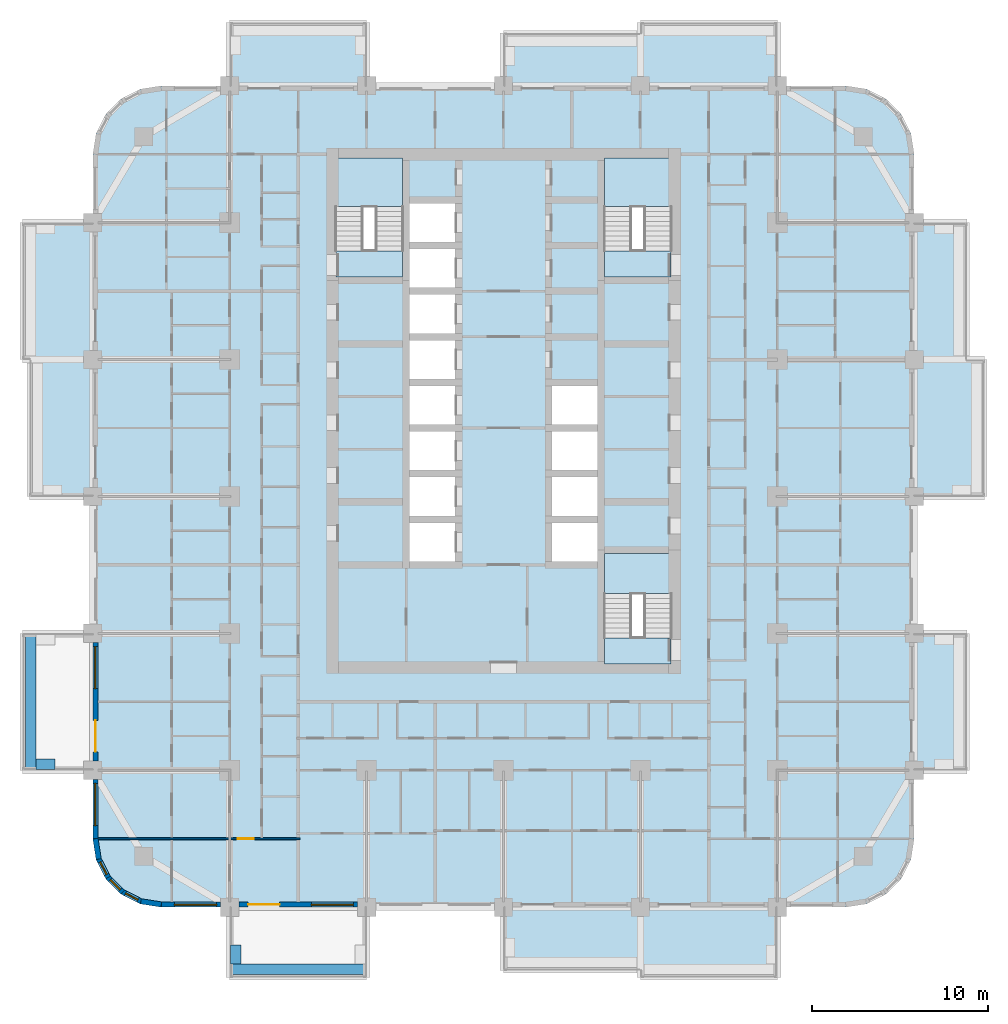
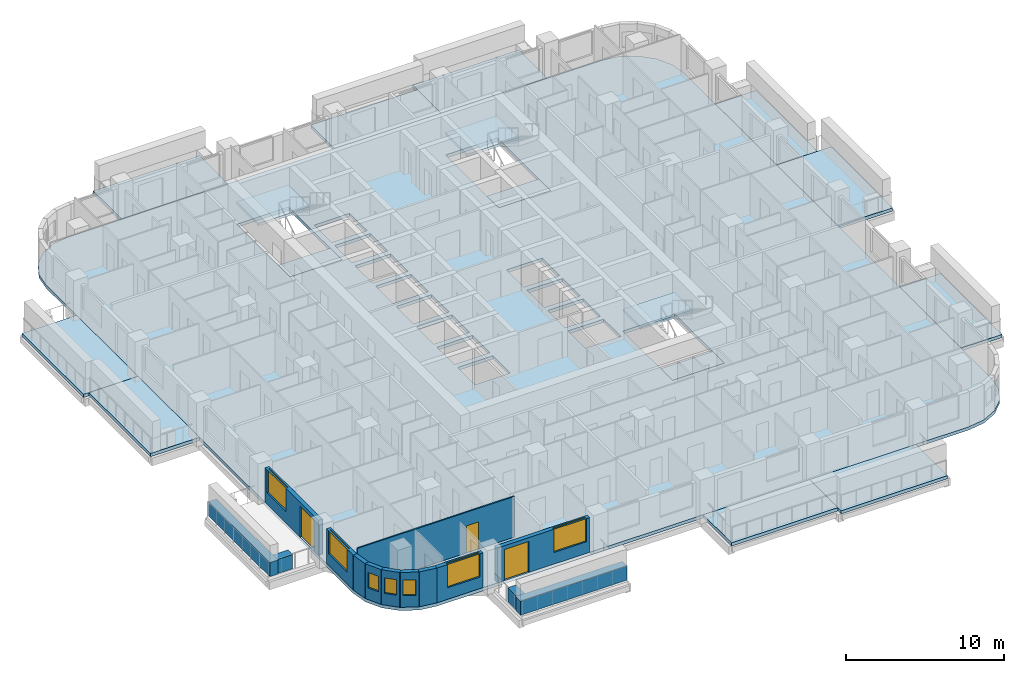
# One storey, part 2 of 18: 17 slabs, 14 walls, 7 windows, 3 doors, 10 openings, 3 elements without a shape of their own.
"""IFC4 building model written with IfcOpenShell, lengths in metres."""

from ifc_helpers import new_model, si_unit, direction, frame, frame_2d, origin, place, context, subcontext, project, spatial, polyline, rectangle, outline, extrude, material, layer, layer_set, type_object, element, fill, aggregate, save


model = new_model("IFC4")

# Units and contexts
model_context = context("Model", 3, precision=1e-05, world=origin(), true_north=direction((0.0, 1.0)))
body_context = subcontext(model_context, "Body", "Model", "MODEL_VIEW")
ifc_project = project(units=[si_unit("LENGTHUNIT", "METRE"), si_unit("AREAUNIT", "SQUARE_METRE"), si_unit("VOLUMEUNIT", "CUBIC_METRE"), si_unit("PLANEANGLEUNIT", "RADIAN"), si_unit("MASSUNIT", "GRAM", prefix="KILO")], contexts=[model_context])

# Site, building, storey
site_placement = place(None, origin())
site = spatial("IfcSite", under=ifc_project, at=site_placement, CompositionType="ELEMENT")
building_placement = place(site_placement, origin())
building = spatial("IfcBuilding", under=site, at=building_placement, Name="Ludao Terraces", CompositionType="ELEMENT")
storey_placement = place(building_placement, frame((0.0, 0.0, 33.10009765625)))
storey = spatial("IfcBuildingStorey", under=building, at=storey_placement, Name="L08", CompositionType="ELEMENT", Elevation=33.10009765625)

# Slabs
ifc_material_1 = material(Name="Concrete C40", Category="concrete")
ifc_layer_1 = layer(ifc_material_1, 0.25)
ifc_layer_set_1 = layer_set([ifc_layer_1], Name="Balcony slab 250 C40")
slab_type_1 = type_object("IfcSlabType", Name="Balcony slab 250 C40", PredefinedType="USERDEFINED", material=ifc_layer_set_1)
slab_1_placement = place(storey_placement, frame((0.0, 0.0, -0.25)))
element("IfcSlab", 1, at=slab_1_placement, inside=storey, type_object=slab_type_1, Name="Balcony L08 S3", ObjectType="BALCONY", PredefinedType="USERDEFINED", context=body_context, shape_type="SweptSolid", body=[
    extrude(outline(polyline([(85.0, 38.0), (92.800048828125, 38.0), (92.800048828125, 41.60009765625), (85.0, 41.60009765625), (85.0, 38.0)])), origin(), (0.0, 0.0, 1.0), 0.25),
])
slab_2_placement = place(storey_placement, frame((0.0, 0.0, -0.25)))
element("IfcSlab", 2, at=slab_2_placement, inside=storey, type_object=slab_type_1, Name="Balcony L08 S4", ObjectType="BALCONY", PredefinedType="USERDEFINED", context=body_context, shape_type="SweptSolid", body=[
    extrude(outline(polyline([(92.800048828125, 37.60009765625), (100.60009765625, 37.60009765625), (100.60009765625, 41.60009765625), (92.800048828125, 41.60009765625), (92.800048828125, 37.60009765625)])), origin(), (0.0, 0.0, 1.0), 0.25),
])
slab_3_placement = place(storey_placement, frame((0.0, 0.0, -0.25)))
element("IfcSlab", 3, at=slab_3_placement, inside=storey, type_object=slab_type_1, Name="Balcony L08 E1", ObjectType="BALCONY", PredefinedType="USERDEFINED", context=body_context, shape_type="SweptSolid", body=[
    extrude(outline(polyline([(108.39990234375, 49.39990234375), (111.39990234375, 49.39990234375), (111.39990234375, 57.199951171875), (108.39990234375, 57.199951171875), (108.39990234375, 49.39990234375)])), origin(), (0.0, 0.0, 1.0), 0.25),
])
slab_4_placement = place(storey_placement, frame((0.0, 0.0, -0.25)))
element("IfcSlab", 4, at=slab_4_placement, inside=storey, type_object=slab_type_1, Name="Balcony L08 E3", ObjectType="BALCONY", PredefinedType="USERDEFINED", context=body_context, shape_type="SweptSolid", body=[
    extrude(outline(polyline([(108.39990234375, 65.0), (112.39990234375, 65.0), (112.39990234375, 72.800048828125), (108.39990234375, 72.800048828125), (108.39990234375, 65.0)])), origin(), (0.0, 0.0, 1.0), 0.25),
])
slab_5_placement = place(storey_placement, frame((0.0, 0.0, -0.25)))
element("IfcSlab", 5, at=slab_5_placement, inside=storey, type_object=slab_type_1, Name="Balcony L08 E4", ObjectType="BALCONY", PredefinedType="USERDEFINED", context=body_context, shape_type="SweptSolid", body=[
    extrude(outline(polyline([(108.39990234375, 72.800048828125), (111.39990234375, 72.800048828125), (111.39990234375, 80.60009765625), (108.39990234375, 80.60009765625), (108.39990234375, 72.800048828125)])), origin(), (0.0, 0.0, 1.0), 0.25),
])
slab_6_placement = place(storey_placement, frame((0.0, 0.0, -0.25)))
element("IfcSlab", 6, at=slab_6_placement, inside=storey, type_object=slab_type_1, Name="Balcony L08 N1", ObjectType="BALCONY", PredefinedType="USERDEFINED", context=body_context, shape_type="SweptSolid", body=[
    extrude(outline(polyline([(69.39990234375, 88.39990234375), (77.199951171875, 88.39990234375), (77.199951171875, 92.0), (69.39990234375, 92.0), (69.39990234375, 88.39990234375)])), origin(), (0.0, 0.0, 1.0), 0.25),
])
slab_7_placement = place(storey_placement, frame((0.0, 0.0, -0.25)))
element("IfcSlab", 7, at=slab_7_placement, inside=storey, type_object=slab_type_1, Name="Balcony L08 N3", ObjectType="BALCONY", PredefinedType="USERDEFINED", context=body_context, shape_type="SweptSolid", body=[
    extrude(outline(polyline([(85.0, 88.39990234375), (92.800048828125, 88.39990234375), (92.800048828125, 91.39990234375), (85.0, 91.39990234375), (85.0, 88.39990234375)])), origin(), (0.0, 0.0, 1.0), 0.25),
])
slab_8_placement = place(storey_placement, frame((0.0, 0.0, -0.25)))
element("IfcSlab", 8, at=slab_8_placement, inside=storey, type_object=slab_type_1, Name="Balcony L08 N4", ObjectType="BALCONY", PredefinedType="USERDEFINED", context=body_context, shape_type="SweptSolid", body=[
    extrude(outline(polyline([(92.800048828125, 88.39990234375), (100.60009765625, 88.39990234375), (100.60009765625, 92.0), (92.800048828125, 92.0), (92.800048828125, 88.39990234375)])), origin(), (0.0, 0.0, 1.0), 0.25),
])
slab_9_placement = place(storey_placement, frame((0.0, 0.0, -0.25)))
element("IfcSlab", 9, at=slab_9_placement, inside=storey, type_object=slab_type_1, Name="Balcony L08 W3", ObjectType="BALCONY", PredefinedType="USERDEFINED", context=body_context, shape_type="SweptSolid", body=[
    extrude(outline(polyline([(58.0, 65.0), (61.60009765625, 65.0), (61.60009765625, 72.800048828125), (58.0, 72.800048828125), (58.0, 65.0)])), origin(), (0.0, 0.0, 1.0), 0.25),
])
slab_10_placement = place(storey_placement, frame((0.0, 0.0, -0.25)))
element("IfcSlab", 10, at=slab_10_placement, inside=storey, type_object=slab_type_1, Name="Balcony L08 W4", ObjectType="BALCONY", PredefinedType="USERDEFINED", context=body_context, shape_type="SweptSolid", body=[
    extrude(outline(polyline([(57.60009765625, 72.800048828125), (61.60009765625, 72.800048828125), (61.60009765625, 80.60009765625), (57.60009765625, 80.60009765625), (57.60009765625, 72.800048828125)])), origin(), (0.0, 0.0, 1.0), 0.25),
])
ifc_layer_2 = layer(ifc_material_1, 0.25)
ifc_layer_set_2 = layer_set([ifc_layer_2], Name="Floor slab 250 C40")
slab_type_2 = type_object("IfcSlabType", Name="Floor slab 250 C40", PredefinedType="FLOOR", material=ifc_layer_set_2)
slab_11_placement = place(storey_placement, frame((0.0, 0.0, -0.25)))
element("IfcSlab", 11, at=slab_11_placement, inside=storey, type_object=slab_type_2, Name="Slab L08", PredefinedType="FLOOR", context=body_context, shape_type="SweptSolid", body=[
    extrude(outline(polyline([(104.5, 41.60009765625), (105.705078125, 41.790771484375), (106.79248046875, 42.3447265625), (107.6552734375, 43.20751953125), (108.209228515625, 44.294921875), (108.39990234375, 45.5), (108.39990234375, 84.5), (108.209228515625, 85.705078125), (107.6552734375, 86.79248046875), (106.79248046875, 87.6552734375), (105.705078125, 88.209228515625), (104.5, 88.39990234375), (65.5, 88.39990234375), (64.294921875, 88.209228515625), (63.20751953125, 87.6552734375), (62.3447265625, 86.79248046875), (61.790771484375, 85.705078125), (61.60009765625, 84.5), (61.60009765625, 45.5), (61.790771484375, 44.294921875), (62.3447265625, 43.20751953125), (63.20751953125, 42.3447265625), (64.294921875, 41.790771484375), (65.5, 41.60009765625), (104.5, 41.60009765625)]), holes=[polyline([(79.64990234375, 61.300048828125), (82.25, 61.300048828125), (82.25, 63.5), (79.64990234375, 63.5), (79.64990234375, 61.300048828125)]), polyline([(79.64990234375, 63.89990234375), (82.25, 63.89990234375), (82.25, 66.10009765625), (79.64990234375, 66.10009765625), (79.64990234375, 63.89990234375)]), polyline([(79.64990234375, 66.5), (82.25, 66.5), (82.25, 68.699951171875), (79.64990234375, 68.699951171875), (79.64990234375, 66.5)]), polyline([(79.64990234375, 69.10009765625), (82.25, 69.10009765625), (82.25, 71.300048828125), (79.64990234375, 71.300048828125), (79.64990234375, 69.10009765625)]), polyline([(79.64990234375, 71.699951171875), (82.25, 71.699951171875), (82.25, 73.89990234375), (79.64990234375, 73.89990234375), (79.64990234375, 71.699951171875)]), polyline([(79.64990234375, 74.300048828125), (82.25, 74.300048828125), (82.25, 76.5), (79.64990234375, 76.5), (79.64990234375, 74.300048828125)]), polyline([(79.64990234375, 76.89990234375), (82.25, 76.89990234375), (82.25, 79.10009765625), (79.64990234375, 79.10009765625), (79.64990234375, 76.89990234375)]), polyline([(79.64990234375, 79.5), (82.25, 79.5), (82.25, 81.699951171875), (79.64990234375, 81.699951171875), (79.64990234375, 79.5)]), polyline([(87.75, 61.300048828125), (90.35009765625, 61.300048828125), (90.35009765625, 63.5), (87.75, 63.5), (87.75, 61.300048828125)]), polyline([(87.75, 63.89990234375), (90.35009765625, 63.89990234375), (90.35009765625, 66.10009765625), (87.75, 66.10009765625), (87.75, 63.89990234375)]), polyline([(87.75, 66.5), (90.35009765625, 66.5), (90.35009765625, 68.699951171875), (87.75, 68.699951171875), (87.75, 66.5)]), polyline([(87.75, 69.10009765625), (90.35009765625, 69.10009765625), (90.35009765625, 71.300048828125), (87.75, 71.300048828125), (87.75, 69.10009765625)]), polyline([(75.449951171875, 77.5), (79.25, 77.5), (79.25, 84.239990234375), (75.449951171875, 84.239990234375), (75.449951171875, 77.5)]), polyline([(90.75, 77.5), (94.550048828125, 77.5), (94.550048828125, 84.239990234375), (90.75, 84.239990234375), (90.75, 77.5)]), polyline([(90.75, 55.449951171875), (94.550048828125, 55.449951171875), (94.550048828125, 61.75), (90.75, 61.75), (90.75, 55.449951171875)])]), origin(), (0.0, 0.0, 1.0), 0.25),
])

# Stair, slabs
stair_type = type_object("IfcStairType", Name="INT Stair", PredefinedType="HALF_TURN_STAIR", material=ifc_material_1)
stair_1_placement = place(storey_placement, origin())
stair_1 = element("IfcStair", 12, at=stair_1_placement, inside=storey, type_object=stair_type, Name="EXIT STAIR 1", PredefinedType="HALF_TURN_STAIR")
ifc_layer_3 = layer(ifc_material_1, 0.199951171875)
ifc_layer_set_3 = layer_set([ifc_layer_3], Name="INT Stair landing 200")
slab_type_3 = type_object("IfcSlabType", Name="INT Stair landing 200", PredefinedType="LANDING", material=ifc_layer_set_3)
slab_12_placement = place(storey_placement, frame((0.0, 0.0, 1.5)))
slab_12 = element("IfcSlab", 13, at=slab_12_placement, type_object=slab_type_3, Name="ST1 landing 1", PredefinedType="LANDING", context=body_context, shape_type="SweptSolid", body=[
    extrude(outline(polyline([(75.449951171875, 81.52001953125), (79.25, 81.52001953125), (79.25, 84.300048828125), (75.449951171875, 84.300048828125), (75.449951171875, 81.52001953125)])), origin(), (0.0, 0.0, 1.0), 0.199951171875),
])
slab_13_placement = place(storey_placement, frame((0.0, 0.0, -0.2001953125)))
slab_13 = element("IfcSlab", 14, at=slab_13_placement, type_object=slab_type_3, Name="ST1 landing 2", PredefinedType="LANDING", context=body_context, shape_type="SweptSolid", body=[
    extrude(outline(polyline([(75.449951171875, 77.5), (79.25, 77.5), (79.25, 79.0), (75.449951171875, 79.0), (75.449951171875, 77.5)])), origin(), (0.0, 0.0, 1.0), 0.2001953125),
])
aggregate(stair_1, [slab_12, slab_13])

stair_2_placement = place(storey_placement, origin())
stair_2 = element("IfcStair", 15, at=stair_2_placement, inside=storey, type_object=stair_type, Name="EXIT STAIR 2", PredefinedType="HALF_TURN_STAIR")
slab_14_placement = place(storey_placement, frame((0.0, 0.0, 1.5)))
slab_14 = element("IfcSlab", 16, at=slab_14_placement, type_object=slab_type_3, Name="ST2 landing 1", PredefinedType="LANDING", context=body_context, shape_type="SweptSolid", body=[
    extrude(outline(polyline([(90.75, 81.52001953125), (94.550048828125, 81.52001953125), (94.550048828125, 84.300048828125), (90.75, 84.300048828125), (90.75, 81.52001953125)])), origin(), (0.0, 0.0, 1.0), 0.199951171875),
])
slab_15_placement = place(storey_placement, frame((0.0, 0.0, -0.2001953125)))
slab_15 = element("IfcSlab", 17, at=slab_15_placement, type_object=slab_type_3, Name="ST2 landing 2", PredefinedType="LANDING", context=body_context, shape_type="SweptSolid", body=[
    extrude(outline(polyline([(90.75, 77.5), (94.550048828125, 77.5), (94.550048828125, 79.0), (90.75, 79.0), (90.75, 77.5)])), origin(), (0.0, 0.0, 1.0), 0.2001953125),
])
aggregate(stair_2, [slab_14, slab_15])

stair_3_placement = place(storey_placement, origin())
stair_3 = element("IfcStair", 18, at=stair_3_placement, inside=storey, type_object=stair_type, Name="EXIT STAIR 3", PredefinedType="HALF_TURN_STAIR")
slab_16_placement = place(storey_placement, frame((0.0, 0.0, 1.5)))
slab_16 = element("IfcSlab", 19, at=slab_16_placement, type_object=slab_type_3, Name="ST3 landing 1", PredefinedType="LANDING", context=body_context, shape_type="SweptSolid", body=[
    extrude(outline(polyline([(90.75, 59.469970703125), (94.550048828125, 59.469970703125), (94.550048828125, 61.75), (90.75, 61.75), (90.75, 59.469970703125)])), origin(), (0.0, 0.0, 1.0), 0.199951171875),
])
slab_17_placement = place(storey_placement, frame((0.0, 0.0, -0.2001953125)))
slab_17 = element("IfcSlab", 20, at=slab_17_placement, type_object=slab_type_3, Name="ST3 landing 2", PredefinedType="LANDING", context=body_context, shape_type="SweptSolid", body=[
    extrude(outline(polyline([(90.75, 55.449951171875), (94.550048828125, 55.449951171875), (94.550048828125, 56.949951171875), (90.75, 56.949951171875), (90.75, 55.449951171875)])), origin(), (0.0, 0.0, 1.0), 0.2001953125),
])
aggregate(stair_3, [slab_16, slab_17])

# Walls
ifc_layer_4 = layer(ifc_material_1, 0.60009765625)
ifc_layer_set_4 = layer_set([ifc_layer_4], Name="ENV Planter trough 600")
wall_type_1 = type_object("IfcWallType", Name="ENV Planter trough 600", PredefinedType="USERDEFINED", material=ifc_layer_set_4)
wall_1_placement = place(storey_placement, frame((69.39990234375, 38.050048828125, 0.0), z_axis=(0.0, 0.0, 1.0), x_axis=(1.0, 0.0, 0.0)))
element("IfcWall", 21, at=wall_1_placement, inside=storey, type_object=wall_type_1, Name="PL-L08-S1", ObjectType="PLANTER", PredefinedType="USERDEFINED", context=body_context, shape_type="SweptSolid", body=[
    extrude(rectangle(XDim=7.800048828125, YDim=0.60009765625, at=frame_2d((3.89990234375, 0.0))), origin(), (0.0, 0.0, 1.0), 1.099853515625),
])
wall_2_placement = place(storey_placement, frame((69.75, 38.35009765625, 0.0), z_axis=(0.0, 0.0, 1.0), x_axis=(0.0, 1.0, 0.0)))
element("IfcWall", 22, at=wall_2_placement, inside=storey, type_object=wall_type_1, Name="PL-L08-S1-SA", ObjectType="PLANTER", PredefinedType="USERDEFINED", context=body_context, shape_type="SweptSolid", body=[
    extrude(rectangle(XDim=1.099853515625, YDim=0.60009765625, at=frame_2d((0.5498046875, 0.0))), origin(), (0.0, 0.0, 1.0), 1.099853515625),
])
wall_3_placement = place(storey_placement, frame((58.050048828125, 49.39990234375, 0.0), z_axis=(0.0, 0.0, 1.0), x_axis=(0.0, 1.0, 0.0)))
element("IfcWall", 23, at=wall_3_placement, inside=storey, type_object=wall_type_1, Name="PL-L08-W1", ObjectType="PLANTER", PredefinedType="USERDEFINED", context=body_context, shape_type="SweptSolid", body=[
    extrude(rectangle(XDim=7.800048828125, YDim=0.60009765625, at=frame_2d((3.89990234375, 0.0))), origin(), (0.0, 0.0, 1.0), 1.099853515625),
])
wall_4_placement = place(storey_placement, frame((58.35009765625, 49.75, 0.0), z_axis=(0.0, 0.0, 1.0), x_axis=(1.0, 0.0, 0.0)))
element("IfcWall", 24, at=wall_4_placement, inside=storey, type_object=wall_type_1, Name="PL-L08-W1-SA", ObjectType="PLANTER", PredefinedType="USERDEFINED", context=body_context, shape_type="SweptSolid", body=[
    extrude(rectangle(XDim=1.099853515625, YDim=0.60009765625, at=frame_2d((0.5498046875, 0.0))), origin(), (0.0, 0.0, 1.0), 1.099853515625),
])

# Wall, opening, window
ifc_material_2 = material(Name="Granite cladding", Category="masonry")
ifc_layer_5 = layer(ifc_material_2, 0.0400390625, Category="stone")
ifc_material_3 = material(Name="Mineral wool")
ifc_layer_6 = layer(ifc_material_3, 0.06005859375)
ifc_layer_7 = layer(ifc_material_1, 0.199951171875, Category="concrete")
ifc_layer_set_5 = layer_set([ifc_layer_5, ifc_layer_6, ifc_layer_7], Name="ENV Stone-clad wall 300")
wall_type_2 = type_object("IfcWallType", Name="ENV Stone-clad wall 300", PredefinedType="SOLIDWALL", material=ifc_layer_set_5)
wall_5_placement = place(storey_placement, frame((65.5, 41.75, 0.0), z_axis=(0.0, 0.0, 1.0), x_axis=(1.0, 0.0, 0.0)))
wall_5 = element("IfcWall", 25, at=wall_5_placement, inside=storey, type_object=wall_type_2, Name="EW-L08-S1", PredefinedType="SOLIDWALL", context=body_context, shape_type="SweptSolid", body=[
    extrude(rectangle(XDim=3.375, YDim=0.300048828125, at=frame_2d((1.6875, 0.0))), origin(), (0.0, 0.0, 1.0), 2.699951171875),
])
opening_1_placement = place(wall_5_placement, frame((0.75, 0.0, 0.89990234375)))
opening_1 = element("IfcOpeningElement", 26, at=opening_1_placement, cuts=wall_5, Name="Opening W1", PredefinedType="OPENING", context=body_context, shape_type="SweptSolid", body=[
    extrude(rectangle(XDim=2.39990234375, YDim=1.800048828125, at=frame_2d((1.199951171875, 0.89990234375))), frame((0.0, 0.16015625, 0.0), z_axis=(0.0, -1.0, 0.0), x_axis=(1.0, 0.0, 0.0)), (0.0, 0.0, 1.0), 0.320068359375),
])
ifc_material_4 = material(Name="Clear glass in aluminium frame", Category="aluminium")
ifc_layer_8 = layer(ifc_material_4, 0.06005859375)
ifc_layer_set_6 = layer_set([ifc_layer_8], Name="ENV Window W1 2400x1800")
window_type_1 = type_object("IfcWindowType", Name="ENV Window W1 2400x1800", PartitioningType="DOUBLE_PANEL_VERTICAL", PredefinedType="WINDOW", material=ifc_layer_set_6)
window_1_placement = place(opening_1_placement, origin())
window_1 = element("IfcWindow", 27, at=window_1_placement, inside=storey, type_object=window_type_1, Name="W-L08-S1-1", OverallHeight=1.800048828125, OverallWidth=2.39990234375, PartitioningType="DOUBLE_PANEL_VERTICAL", PredefinedType="WINDOW", context=body_context, shape_type="SweptSolid", body=[
    extrude(rectangle(XDim=2.39990234375, YDim=1.800048828125, at=frame_2d((1.199951171875, 0.89990234375))), frame((0.0, 0.030029296875, 0.0), z_axis=(0.0, -1.0, 0.0), x_axis=(1.0, 0.0, 0.0)), (0.0, 0.0, 1.0), 0.06005859375),
])
fill(opening_1, window_1)

# Wall, openings, door, window
wall_6_placement = place(storey_placement, frame((69.925048828125, 41.75, 0.0), z_axis=(0.0, 0.0, 1.0), x_axis=(1.0, 0.0, 0.0)))
wall_6 = element("IfcWall", 28, at=wall_6_placement, inside=storey, type_object=wall_type_2, Name="EW-L08-S2", PredefinedType="SOLIDWALL", context=body_context, shape_type="SweptSolid", body=[
    extrude(rectangle(XDim=6.75, YDim=0.300048828125, at=frame_2d((3.375, 0.0))), origin(), (0.0, 0.0, 1.0), 2.699951171875),
])
opening_2_placement = place(wall_6_placement, frame((0.52490234375, 0.0, 0.0)))
opening_2 = element("IfcOpeningElement", 29, at=opening_2_placement, cuts=wall_6, Name="Opening BD", PredefinedType="OPENING", context=body_context, shape_type="SweptSolid", body=[
    extrude(rectangle(XDim=1.800048828125, YDim=2.39990234375, at=frame_2d((0.89990234375, 1.199951171875))), frame((0.0, 0.16015625, 0.0), z_axis=(0.0, -1.0, 0.0), x_axis=(1.0, 0.0, 0.0)), (0.0, 0.0, 1.0), 0.320068359375),
])
opening_3_placement = place(wall_6_placement, frame((4.125, 0.0, 0.89990234375)))
opening_3 = element("IfcOpeningElement", 30, at=opening_3_placement, cuts=wall_6, Name="Opening W1", PredefinedType="OPENING", context=body_context, shape_type="SweptSolid", body=[
    extrude(rectangle(XDim=2.39990234375, YDim=1.800048828125, at=frame_2d((1.199951171875, 0.89990234375))), frame((0.0, 0.16015625, 0.0), z_axis=(0.0, -1.0, 0.0), x_axis=(1.0, 0.0, 0.0)), (0.0, 0.0, 1.0), 0.320068359375),
])
ifc_material_5 = material(Name="Aluminium glazed door", Category="aluminium")
ifc_layer_9 = layer(ifc_material_5, 0.06005859375)
ifc_layer_set_7 = layer_set([ifc_layer_9], Name="ENV Balcony door BD 1800x2400")
door_type_1 = type_object("IfcDoorType", Name="ENV Balcony door BD 1800x2400", OperationType="DOUBLE_DOOR_SINGLE_SWING", PredefinedType="DOOR", material=ifc_layer_set_7)
door_1_placement = place(opening_2_placement, origin())
door_1 = element("IfcDoor", 31, at=door_1_placement, inside=storey, type_object=door_type_1, Name="BD-L08-S2-1", OperationType="DOUBLE_DOOR_SINGLE_SWING", OverallHeight=2.39990234375, OverallWidth=1.800048828125, PredefinedType="DOOR", context=body_context, shape_type="SweptSolid", body=[
    extrude(rectangle(XDim=1.800048828125, YDim=2.39990234375, at=frame_2d((0.89990234375, 1.199951171875))), frame((0.0, 0.02490234375, 0.0), z_axis=(0.0, -1.0, 0.0), x_axis=(1.0, 0.0, 0.0)), (0.0, 0.0, 1.0), 0.050048828125),
])
fill(opening_2, door_1)
window_2_placement = place(opening_3_placement, origin())
window_2 = element("IfcWindow", 32, at=window_2_placement, inside=storey, type_object=window_type_1, Name="W-L08-S2-2", OverallHeight=1.800048828125, OverallWidth=2.39990234375, PartitioningType="DOUBLE_PANEL_VERTICAL", PredefinedType="WINDOW", context=body_context, shape_type="SweptSolid", body=[
    extrude(rectangle(XDim=2.39990234375, YDim=1.800048828125, at=frame_2d((1.199951171875, 0.89990234375))), frame((0.0, 0.030029296875, 0.0), z_axis=(0.0, -1.0, 0.0), x_axis=(1.0, 0.0, 0.0)), (0.0, 0.0, 1.0), 0.06005859375),
])
fill(opening_3, window_2)

# Wall, opening, window
wall_7_placement = place(storey_placement, frame((61.75, 45.5, 0.0), z_axis=(0.0, 0.0, 1.0), x_axis=(0.0, 1.0, 0.0)))
wall_7 = element("IfcWall", 33, at=wall_7_placement, inside=storey, type_object=wall_type_2, Name="EW-L08-W1", PredefinedType="SOLIDWALL", context=body_context, shape_type="SweptSolid", body=[
    extrude(rectangle(XDim=3.375, YDim=0.300048828125, at=frame_2d((1.6875, 0.0))), origin(), (0.0, 0.0, 1.0), 2.699951171875),
])
opening_4_placement = place(wall_7_placement, frame((0.75, 0.0, 0.89990234375)))
opening_4 = element("IfcOpeningElement", 34, at=opening_4_placement, cuts=wall_7, Name="Opening W1", PredefinedType="OPENING", context=body_context, shape_type="SweptSolid", body=[
    extrude(rectangle(XDim=2.39990234375, YDim=1.800048828125, at=frame_2d((1.199951171875, 0.89990234375))), frame((0.0, 0.16015625, 0.0), z_axis=(0.0, -1.0, 0.0), x_axis=(1.0, 0.0, 0.0)), (0.0, 0.0, 1.0), 0.320068359375),
])
window_3_placement = place(opening_4_placement, origin())
window_3 = element("IfcWindow", 35, at=window_3_placement, inside=storey, type_object=window_type_1, Name="W-L08-W1-1", OverallHeight=1.800048828125, OverallWidth=2.39990234375, PartitioningType="DOUBLE_PANEL_VERTICAL", PredefinedType="WINDOW", context=body_context, shape_type="SweptSolid", body=[
    extrude(rectangle(XDim=2.39990234375, YDim=1.800048828125, at=frame_2d((1.199951171875, 0.89990234375))), frame((0.0, 0.030029296875, 0.0), z_axis=(0.0, -1.0, 0.0), x_axis=(1.0, 0.0, 0.0)), (0.0, 0.0, 1.0), 0.06005859375),
])
fill(opening_4, window_3)

# Wall, openings, door, window
wall_8_placement = place(storey_placement, frame((61.75, 49.925048828125, 0.0), z_axis=(0.0, 0.0, 1.0), x_axis=(0.0, 1.0, 0.0)))
wall_8 = element("IfcWall", 36, at=wall_8_placement, inside=storey, type_object=wall_type_2, Name="EW-L08-W2", PredefinedType="SOLIDWALL", context=body_context, shape_type="SweptSolid", body=[
    extrude(rectangle(XDim=6.75, YDim=0.300048828125, at=frame_2d((3.375, 0.0))), origin(), (0.0, 0.0, 1.0), 2.699951171875),
])
opening_5_placement = place(wall_8_placement, frame((0.52490234375, 0.0, 0.0)))
opening_5 = element("IfcOpeningElement", 37, at=opening_5_placement, cuts=wall_8, Name="Opening BD", PredefinedType="OPENING", context=body_context, shape_type="SweptSolid", body=[
    extrude(rectangle(XDim=1.800048828125, YDim=2.39990234375, at=frame_2d((0.89990234375, 1.199951171875))), frame((0.0, 0.16015625, 0.0), z_axis=(0.0, -1.0, 0.0), x_axis=(1.0, 0.0, 0.0)), (0.0, 0.0, 1.0), 0.320068359375),
])
opening_6_placement = place(wall_8_placement, frame((4.125, 0.0, 0.89990234375)))
opening_6 = element("IfcOpeningElement", 38, at=opening_6_placement, cuts=wall_8, Name="Opening W1", PredefinedType="OPENING", context=body_context, shape_type="SweptSolid", body=[
    extrude(rectangle(XDim=2.39990234375, YDim=1.800048828125, at=frame_2d((1.199951171875, 0.89990234375))), frame((0.0, 0.16015625, 0.0), z_axis=(0.0, -1.0, 0.0), x_axis=(1.0, 0.0, 0.0)), (0.0, 0.0, 1.0), 0.320068359375),
])
door_2_placement = place(opening_5_placement, origin())
door_2 = element("IfcDoor", 39, at=door_2_placement, inside=storey, type_object=door_type_1, Name="BD-L08-W2-1", OperationType="DOUBLE_DOOR_SINGLE_SWING", OverallHeight=2.39990234375, OverallWidth=1.800048828125, PredefinedType="DOOR", context=body_context, shape_type="SweptSolid", body=[
    extrude(rectangle(XDim=1.800048828125, YDim=2.39990234375, at=frame_2d((0.89990234375, 1.199951171875))), frame((0.0, 0.02490234375, 0.0), z_axis=(0.0, -1.0, 0.0), x_axis=(1.0, 0.0, 0.0)), (0.0, 0.0, 1.0), 0.050048828125),
])
fill(opening_5, door_2)
window_4_placement = place(opening_6_placement, origin())
window_4 = element("IfcWindow", 40, at=window_4_placement, inside=storey, type_object=window_type_1, Name="W-L08-W2-2", OverallHeight=1.800048828125, OverallWidth=2.39990234375, PartitioningType="DOUBLE_PANEL_VERTICAL", PredefinedType="WINDOW", context=body_context, shape_type="SweptSolid", body=[
    extrude(rectangle(XDim=2.39990234375, YDim=1.800048828125, at=frame_2d((1.199951171875, 0.89990234375))), frame((0.0, 0.030029296875, 0.0), z_axis=(0.0, -1.0, 0.0), x_axis=(1.0, 0.0, 0.0)), (0.0, 0.0, 1.0), 0.06005859375),
])
fill(opening_6, window_4)

# Wall
wall_9_placement = place(storey_placement, frame((61.75, 45.5, 0.0), z_axis=(0.0, 0.0, 1.0), x_axis=(0.156496880861, -0.987678452879, 0.0)))
element("IfcWall", 41, at=wall_9_placement, inside=storey, type_object=wall_type_2, Name="EW-L08-SW1", PredefinedType="SOLIDWALL", context=body_context, shape_type="SweptSolid", body=[
    extrude(rectangle(XDim=1.173095703125, YDim=0.300048828125, at=frame_2d((0.58642578125, 0.0))), origin(), (0.0, 0.0, 1.0), 2.699951171875),
])

# Wall, opening, window
wall_10_placement = place(storey_placement, frame((61.93359375, 44.34130859375, 0.0), z_axis=(0.0, 0.0, 1.0), x_axis=(0.454025524128, -0.890988677504, 0.0)))
wall_10 = element("IfcWall", 42, at=wall_10_placement, inside=storey, type_object=wall_type_2, Name="EW-L08-SW2", PredefinedType="SOLIDWALL", context=body_context, shape_type="SweptSolid", body=[
    extrude(rectangle(XDim=1.17333984375, YDim=0.300048828125, at=frame_2d((0.586669921875, 0.0))), origin(), (0.0, 0.0, 1.0), 2.699951171875),
])
opening_7_placement = place(wall_10_placement, frame((0.1865234375, 0.0, 0.89990234375)))
opening_7 = element("IfcOpeningElement", 43, at=opening_7_placement, cuts=wall_10, Name="Opening W3", PredefinedType="OPENING", context=body_context, shape_type="SweptSolid", body=[
    extrude(rectangle(XDim=0.800048828125, YDim=1.199951171875, at=frame_2d((0.39990234375, 0.60009765625))), frame((0.0, 0.16015625, 0.0), z_axis=(0.0, -1.0, 0.0), x_axis=(1.0, 0.0, 0.0)), (0.0, 0.0, 1.0), 0.320068359375),
])
ifc_layer_10 = layer(ifc_material_4, 0.06005859375)
ifc_layer_set_8 = layer_set([ifc_layer_10], Name="ENV Window W3 800x1200")
window_type_2 = type_object("IfcWindowType", Name="ENV Window W3 800x1200", PartitioningType="SINGLE_PANEL", PredefinedType="WINDOW", material=ifc_layer_set_8)
window_5_placement = place(opening_7_placement, origin())
window_5 = element("IfcWindow", 44, at=window_5_placement, inside=storey, type_object=window_type_2, Name="W-L08-SW2", OverallHeight=1.199951171875, OverallWidth=0.800048828125, PartitioningType="SINGLE_PANEL", PredefinedType="WINDOW", context=body_context, shape_type="SweptSolid", body=[
    extrude(rectangle(XDim=0.800048828125, YDim=1.199951171875, at=frame_2d((0.39990234375, 0.60009765625))), frame((0.0, 0.030029296875, 0.0), z_axis=(0.0, -1.0, 0.0), x_axis=(1.0, 0.0, 0.0)), (0.0, 0.0, 1.0), 0.06005859375),
])
fill(opening_7, window_5)

wall_11_placement = place(storey_placement, frame((62.46630859375, 43.2958984375, 0.0), z_axis=(0.0, 0.0, 1.0), x_axis=(0.707106781187, -0.707106781187, 0.0)))
wall_11 = element("IfcWall", 45, at=wall_11_placement, inside=storey, type_object=wall_type_2, Name="EW-L08-SW3", PredefinedType="SOLIDWALL", context=body_context, shape_type="SweptSolid", body=[
    extrude(rectangle(XDim=1.173095703125, YDim=0.300048828125, at=frame_2d((0.58642578125, 0.0))), origin(), (0.0, 0.0, 1.0), 2.699951171875),
])
opening_8_placement = place(wall_11_placement, frame((0.1865234375, 0.0, 0.89990234375)))
opening_8 = element("IfcOpeningElement", 46, at=opening_8_placement, cuts=wall_11, Name="Opening W3", PredefinedType="OPENING", context=body_context, shape_type="SweptSolid", body=[
    extrude(rectangle(XDim=0.800048828125, YDim=1.199951171875, at=frame_2d((0.39990234375, 0.60009765625))), frame((0.0, 0.16015625, 0.0), z_axis=(0.0, -1.0, 0.0), x_axis=(1.0, 0.0, 0.0)), (0.0, 0.0, 1.0), 0.320068359375),
])
window_6_placement = place(opening_8_placement, origin())
window_6 = element("IfcWindow", 47, at=window_6_placement, inside=storey, type_object=window_type_2, Name="W-L08-SW3", OverallHeight=1.199951171875, OverallWidth=0.800048828125, PartitioningType="SINGLE_PANEL", PredefinedType="WINDOW", context=body_context, shape_type="SweptSolid", body=[
    extrude(rectangle(XDim=0.800048828125, YDim=1.199951171875, at=frame_2d((0.39990234375, 0.60009765625))), frame((0.0, 0.030029296875, 0.0), z_axis=(0.0, -1.0, 0.0), x_axis=(1.0, 0.0, 0.0)), (0.0, 0.0, 1.0), 0.06005859375),
])
fill(opening_8, window_6)

wall_12_placement = place(storey_placement, frame((63.2958984375, 42.46630859375, 0.0), z_axis=(0.0, 0.0, 1.0), x_axis=(0.890988677504, -0.454025524128, 0.0)))
wall_12 = element("IfcWall", 48, at=wall_12_placement, inside=storey, type_object=wall_type_2, Name="EW-L08-SW4", PredefinedType="SOLIDWALL", context=body_context, shape_type="SweptSolid", body=[
    extrude(rectangle(XDim=1.17333984375, YDim=0.300048828125, at=frame_2d((0.586669921875, 0.0))), origin(), (0.0, 0.0, 1.0), 2.699951171875),
])
opening_9_placement = place(wall_12_placement, frame((0.1865234375, 0.0, 0.89990234375)))
opening_9 = element("IfcOpeningElement", 49, at=opening_9_placement, cuts=wall_12, Name="Opening W3", PredefinedType="OPENING", context=body_context, shape_type="SweptSolid", body=[
    extrude(rectangle(XDim=0.800048828125, YDim=1.199951171875, at=frame_2d((0.39990234375, 0.60009765625))), frame((0.0, 0.16015625, 0.0), z_axis=(0.0, -1.0, 0.0), x_axis=(1.0, 0.0, 0.0)), (0.0, 0.0, 1.0), 0.320068359375),
])
window_7_placement = place(opening_9_placement, origin())
window_7 = element("IfcWindow", 50, at=window_7_placement, inside=storey, type_object=window_type_2, Name="W-L08-SW4", OverallHeight=1.199951171875, OverallWidth=0.800048828125, PartitioningType="SINGLE_PANEL", PredefinedType="WINDOW", context=body_context, shape_type="SweptSolid", body=[
    extrude(rectangle(XDim=0.800048828125, YDim=1.199951171875, at=frame_2d((0.39990234375, 0.60009765625))), frame((0.0, 0.030029296875, 0.0), z_axis=(0.0, -1.0, 0.0), x_axis=(1.0, 0.0, 0.0)), (0.0, 0.0, 1.0), 0.06005859375),
])
fill(opening_9, window_7)

# Wall
wall_13_placement = place(storey_placement, frame((64.34130859375, 41.93359375, 0.0), z_axis=(0.0, 0.0, 1.0), x_axis=(0.987678452879, -0.156496880861, 0.0)))
element("IfcWall", 51, at=wall_13_placement, inside=storey, type_object=wall_type_2, Name="EW-L08-SW5", PredefinedType="SOLIDWALL", context=body_context, shape_type="SweptSolid", body=[
    extrude(rectangle(XDim=1.173095703125, YDim=0.300048828125, at=frame_2d((0.58642578125, 0.0))), origin(), (0.0, 0.0, 1.0), 2.699951171875),
])

# Wall, opening, door
ifc_material_6 = material(Name="Gypsum plasterboard", Category="gypsum")
ifc_layer_11 = layer(ifc_material_6, 0.012451171875, Category="gypsum")
ifc_layer_12 = layer(ifc_material_3, 0.06005859375, Name="insulation")
ifc_material_7 = material(Name="Steel Q235", Category="steel")
ifc_layer_13 = layer(ifc_material_7, 0.014892578125, Name="stud")
ifc_layer_14 = layer(ifc_material_6, 0.012451171875, Category="gypsum")
ifc_layer_set_9 = layer_set([ifc_layer_11, ifc_layer_12, ifc_layer_13, ifc_layer_14], Name="INT Partition 100")
wall_type_3 = type_object("IfcWallType", Name="INT Partition 100", PredefinedType="PARTITIONING", material=ifc_layer_set_9)
wall_14_placement = place(storey_placement, frame((61.900146484375, 45.5, 0.0), z_axis=(0.0, 0.0, 1.0), x_axis=(1.0, 0.0, 0.0)))
wall_14 = element("IfcWall", 52, at=wall_14_placement, inside=storey, type_object=wall_type_3, Name="PW-L08-PW000", PredefinedType="PARTITIONING", context=body_context, shape_type="SweptSolid", body=[
    extrude(rectangle(XDim=11.5, YDim=0.10009765625, at=frame_2d((5.75, 0.0))), origin(), (0.0, 0.0, 1.0), 3.14990234375),
])
opening_10_placement = place(wall_14_placement, frame((7.965087890625, 0.0, 0.0)))
opening_10 = element("IfcOpeningElement", 53, at=opening_10_placement, cuts=wall_14, Name="Opening R02-005", PredefinedType="OPENING", context=body_context, shape_type="SweptSolid", body=[
    extrude(rectangle(XDim=0.89990234375, YDim=2.10009765625, at=frame_2d((0.449951171875, 1.050048828125))), frame((0.0, 0.06005859375, 0.0), z_axis=(0.0, -1.0, 0.0), x_axis=(1.0, 0.0, 0.0)), (0.0, 0.0, 1.0), 0.1201171875),
])
ifc_material_8 = material(Name="Timber door leaf", Category="wood")
door_type_2 = type_object("IfcDoorType", Name="INT Room door 900", OperationType="SINGLE_SWING_LEFT", PredefinedType="DOOR", material=ifc_material_8)
door_3_placement = place(opening_10_placement, origin())
door_3 = element("IfcDoor", 54, at=door_3_placement, inside=storey, type_object=door_type_2, Name="DOOR 005", OperationType="SINGLE_SWING_RIGHT", OverallHeight=2.10009765625, OverallWidth=0.89990234375, PredefinedType="DOOR", context=body_context, shape_type="SweptSolid", body=[
    extrude(rectangle(XDim=0.89990234375, YDim=2.10009765625, at=frame_2d((0.449951171875, 1.050048828125))), frame((0.0, 0.02490234375, 0.0), z_axis=(0.0, -1.0, 0.0), x_axis=(1.0, 0.0, 0.0)), (0.0, 0.0, 1.0), 0.050048828125),
])
fill(opening_10, door_3)

save(model, "model.ifc")
